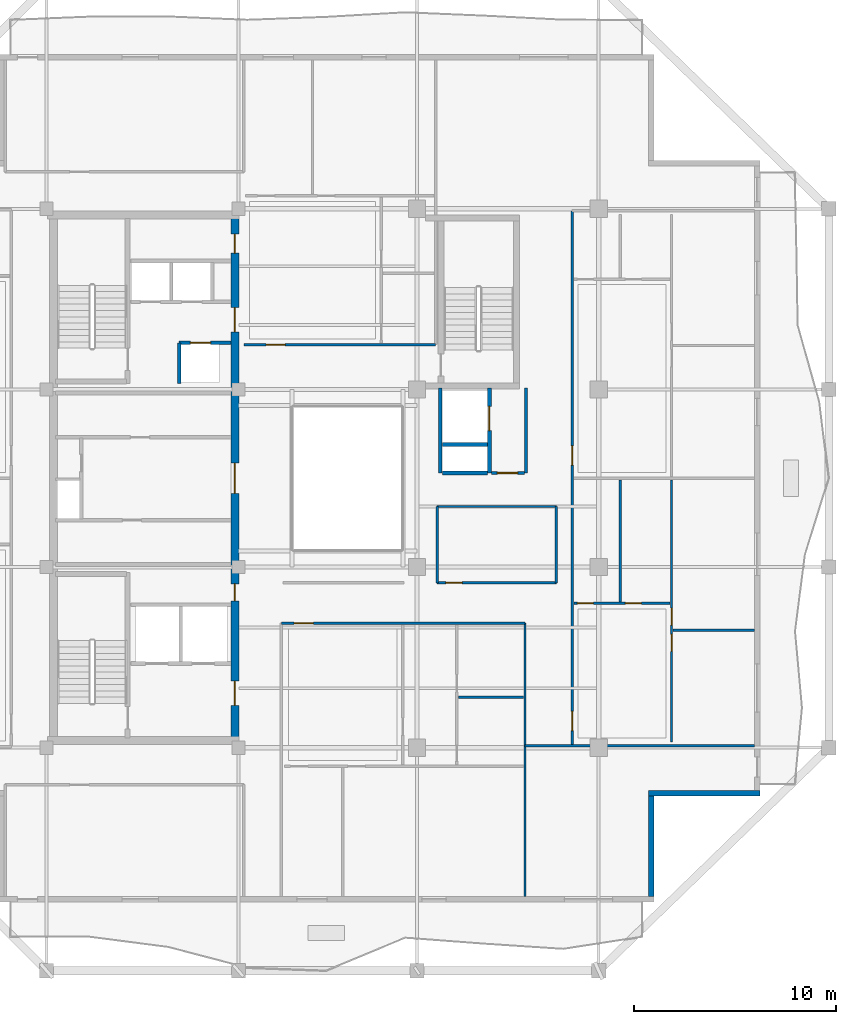
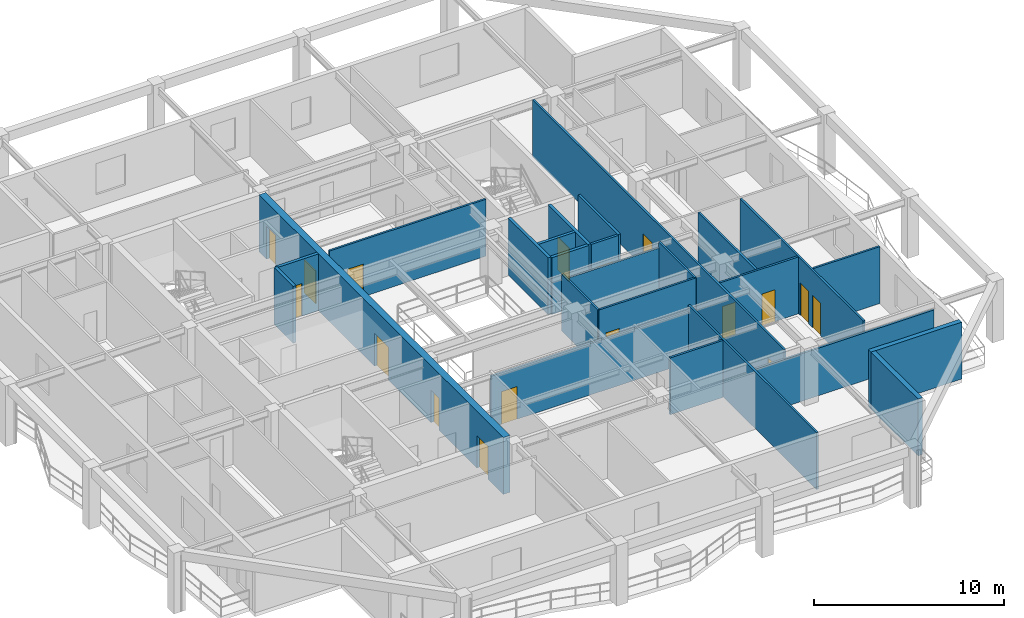
# One storey, part 4 of 11: 25 walls, 17 doors, 17 openings.
"""IFC4 building model written with IfcOpenShell, lengths in metres."""

from ifc_helpers import new_model, si_unit, direction, frame, frame_2d, origin, place, context, subcontext, project, spatial, rectangle, extrude, material, layer, layer_set, type_object, element, fill, save


model = new_model("IFC4")

# Units and contexts
model_context = context("Model", 3, precision=1e-05, world=origin(), true_north=direction((0.0, 1.0)))
body_context = subcontext(model_context, "Body", "Model", "MODEL_VIEW")
ifc_project = project(units=[si_unit("LENGTHUNIT", "METRE"), si_unit("AREAUNIT", "SQUARE_METRE"), si_unit("VOLUMEUNIT", "CUBIC_METRE"), si_unit("PLANEANGLEUNIT", "RADIAN"), si_unit("MASSUNIT", "GRAM", prefix="KILO")], contexts=[model_context])

# Site, building, storey
site_placement = place(None, origin())
site = spatial("IfcSite", under=ifc_project, at=site_placement, CompositionType="ELEMENT")
building_placement = place(site_placement, origin())
building = spatial("IfcBuilding", under=site, at=building_placement, Name="Kundavana Baori Tower", CompositionType="ELEMENT")
storey_placement = place(building_placement, frame((0.0, 0.0, 221.89990234375)))
storey = spatial("IfcBuildingStorey", under=building, at=storey_placement, Name="L54", CompositionType="ELEMENT", Elevation=221.89990234375)

# Wall, openings, doors
ifc_material_1 = material(Name="Concrete C50/60", Category="concrete")
ifc_layer_1 = layer(ifc_material_1, 0.39990234375, Name="WL-CORE-400")
ifc_layer_set_1 = layer_set([ifc_layer_1], Name="Concrete C50/60")
wall_type_1 = type_object("IfcWallType", Name="WL-CORE-400", PredefinedType="SHEAR", material=ifc_layer_set_1)
wall_1_placement = place(storey_placement, frame((24.780029296875, 15.739990234375, 0.0), z_axis=(0.0, 0.0, 1.0), x_axis=(0.0, 1.0, 0.0)))
wall_1 = element("IfcWall", 1, at=wall_1_placement, inside=storey, type_object=wall_type_1, Name="L54 Offset Core East Shear Wall", PredefinedType="SHEAR", context=body_context, shape_type="SweptSolid", body=[
    extrude(rectangle(XDim=25.760009765625, YDim=0.39990234375, at=frame_2d((12.8798828125, 0.0))), origin(), (0.0, 0.0, 1.0), 3.66015625),
])
opening_1_placement = place(wall_1_placement, frame((1.610107421875, 0.0, 0.0)))
opening_1 = element("IfcOpeningElement", 2, at=opening_1_placement, cuts=wall_1, Name="Opening FD-120", PredefinedType="OPENING", context=body_context, shape_type="SweptSolid", body=[
    extrude(rectangle(XDim=1.199951171875, YDim=2.10009765625, at=frame_2d((0.60009765625, 1.050048828125))), frame((0.0, 0.2099609375, 0.0), z_axis=(0.0, -1.0, 0.0), x_axis=(1.0, 0.0, 0.0)), (0.0, 0.0, 1.0), 0.419921875),
])
opening_2_placement = place(wall_1_placement, frame((6.780029296875, 0.0, 0.0)))
opening_2 = element("IfcOpeningElement", 3, at=opening_2_placement, cuts=wall_1, Name="Opening FD-085", PredefinedType="OPENING", context=body_context, shape_type="SweptSolid", body=[
    extrude(rectangle(XDim=0.85009765625, YDim=2.06005859375, at=frame_2d((0.425048828125, 1.030029296875))), frame((0.0, 0.2099609375, 0.0), z_axis=(0.0, -1.0, 0.0), x_axis=(1.0, 0.0, 0.0)), (0.0, 0.0, 1.0), 0.419921875),
])
opening_3_placement = place(wall_1_placement, frame((12.110107421875, 0.0, 0.0)))
opening_3 = element("IfcOpeningElement", 4, at=opening_3_placement, cuts=wall_1, Name="Opening FD-150", PredefinedType="OPENING", context=body_context, shape_type="SweptSolid", body=[
    extrude(rectangle(XDim=1.5, YDim=2.1201171875, at=frame_2d((0.75, 1.06005859375))), frame((0.0, 0.2099609375, 0.0), z_axis=(0.0, -1.0, 0.0), x_axis=(1.0, 0.0, 0.0)), (0.0, 0.0, 1.0), 0.419921875),
])
opening_4_placement = place(wall_1_placement, frame((20.110107421875, 0.0, 0.0)))
opening_4 = element("IfcOpeningElement", 5, at=opening_4_placement, cuts=wall_1, Name="Opening FD-122", PredefinedType="OPENING", context=body_context, shape_type="SweptSolid", body=[
    extrude(rectangle(XDim=1.199951171875, YDim=2.1201171875, at=frame_2d((0.60009765625, 1.06005859375))), frame((0.0, 0.2099609375, 0.0), z_axis=(0.0, -1.0, 0.0), x_axis=(1.0, 0.0, 0.0)), (0.0, 0.0, 1.0), 0.419921875),
])
opening_5_placement = place(wall_1_placement, frame((24.010009765625, 0.0, 0.0)))
opening_5 = element("IfcOpeningElement", 6, at=opening_5_placement, cuts=wall_1, Name="Opening FD-095", PredefinedType="OPENING", context=body_context, shape_type="SweptSolid", body=[
    extrude(rectangle(XDim=0.949951171875, YDim=2.10009765625, at=frame_2d((0.47509765625, 1.050048828125))), frame((0.0, 0.2099609375, 0.0), z_axis=(0.0, -1.0, 0.0), x_axis=(1.0, 0.0, 0.0)), (0.0, 0.0, 1.0), 0.419921875),
])
ifc_material_2 = material(Name="Galvanised Steel Fire-Rated Door Leaf", Category="steel")
door_type_1 = type_object("IfcDoorType", Name="DR-FD120-1200", OperationType="NOTDEFINED", PredefinedType="DOOR", material=ifc_material_2)
door_1_placement = place(opening_1_placement, frame((1.199951171875, 0.0, 0.0), z_axis=(0.0, 0.0, 1.0), x_axis=(-1.0, 0.0, 0.0)))
door_1 = element("IfcDoor", 7, at=door_1_placement, inside=storey, type_object=door_type_1, Name="DR-L54-FFLOB-E", OperationType="SINGLE_SWING_RIGHT", OverallHeight=2.10009765625, OverallWidth=1.199951171875, PredefinedType="DOOR", context=body_context, shape_type="SweptSolid", body=[
    extrude(rectangle(XDim=1.199951171875, YDim=2.10009765625, at=frame_2d((0.60009765625, 1.050048828125))), frame((0.0, 0.02490234375, 0.0), z_axis=(0.0, -1.0, 0.0), x_axis=(1.0, 0.0, 0.0)), (0.0, 0.0, 1.0), 0.050048828125),
])
fill(opening_1, door_1)
ifc_material_3 = material(Name="Galvanised Steel Fire-Rated Door Leaf", Category="steel")
door_type_2 = type_object("IfcDoorType", Name="DR-FD60-1200", OperationType="NOTDEFINED", PredefinedType="DOOR", material=ifc_material_3)
door_2_placement = place(opening_4_placement, frame((1.199951171875, 0.0, 0.0), z_axis=(0.0, 0.0, 1.0), x_axis=(-1.0, 0.0, 0.0)))
door_2 = element("IfcDoor", 8, at=door_2_placement, inside=storey, type_object=door_type_2, Name="DR-L54-HRLOB-E", OperationType="SINGLE_SWING_RIGHT", OverallHeight=2.1201171875, OverallWidth=1.199951171875, PredefinedType="DOOR", context=body_context, shape_type="SweptSolid", body=[
    extrude(rectangle(XDim=1.199951171875, YDim=2.1201171875, at=frame_2d((0.60009765625, 1.06005859375))), frame((0.0, 0.02490234375, 0.0), z_axis=(0.0, -1.0, 0.0), x_axis=(1.0, 0.0, 0.0)), (0.0, 0.0, 1.0), 0.050048828125),
])
fill(opening_4, door_2)
ifc_material_4 = material(Name="Galvanised Steel Fire-Rated Door Leaf", Category="steel")
door_type_3 = type_object("IfcDoorType", Name="DR-FD60-1500", OperationType="NOTDEFINED", PredefinedType="DOOR", material=ifc_material_4)
door_3_placement = place(opening_3_placement, frame((1.5, 0.0, 0.0), z_axis=(0.0, 0.0, 1.0), x_axis=(-1.0, 0.0, 0.0)))
door_3 = element("IfcDoor", 9, at=door_3_placement, inside=storey, type_object=door_type_3, Name="DR-L54-LIFTHALL-E", OperationType="SINGLE_SWING_LEFT", OverallHeight=2.1201171875, OverallWidth=1.5, PredefinedType="DOOR", context=body_context, shape_type="SweptSolid", body=[
    extrude(rectangle(XDim=1.5, YDim=2.1201171875, at=frame_2d((0.75, 1.06005859375))), frame((0.0, 0.02490234375, 0.0), z_axis=(0.0, -1.0, 0.0), x_axis=(1.0, 0.0, 0.0)), (0.0, 0.0, 1.0), 0.050048828125),
])
fill(opening_3, door_3)
ifc_material_5 = material(Name="Galvanised Steel Fire-Rated Door Leaf", Category="steel")
door_type_4 = type_object("IfcDoorType", Name="DR-FD60-850", OperationType="NOTDEFINED", PredefinedType="DOOR", material=ifc_material_5)
door_4_placement = place(opening_2_placement, frame((0.85009765625, 0.0, 0.0), z_axis=(0.0, 0.0, 1.0), x_axis=(-1.0, 0.0, 0.0)))
door_4 = element("IfcDoor", 10, at=door_4_placement, inside=storey, type_object=door_type_4, Name="DR-L54-CSMK1", OperationType="SINGLE_SWING_LEFT", OverallHeight=2.06005859375, OverallWidth=0.85009765625, PredefinedType="DOOR", context=body_context, shape_type="SweptSolid", body=[
    extrude(rectangle(XDim=0.85009765625, YDim=2.06005859375, at=frame_2d((0.425048828125, 1.030029296875))), frame((0.0, 0.02490234375, 0.0), z_axis=(0.0, -1.0, 0.0), x_axis=(1.0, 0.0, 0.0)), (0.0, 0.0, 1.0), 0.050048828125),
])
fill(opening_2, door_4)
ifc_material_6 = material(Name="Engineered Teak Fire-Rated Timber Door Leaf", Category="wood")
door_type_5 = type_object("IfcDoorType", Name="DR-FD60-950", OperationType="NOTDEFINED", PredefinedType="DOOR", material=ifc_material_6)
door_5_placement = place(opening_5_placement, frame((0.949951171875, 0.0, 0.0), z_axis=(0.0, 0.0, 1.0), x_axis=(-1.0, 0.0, 0.0)))
door_5 = element("IfcDoor", 11, at=door_5_placement, inside=storey, type_object=door_type_5, Name="DR-L54-CSRV1", OperationType="SINGLE_SWING_LEFT", OverallHeight=2.10009765625, OverallWidth=0.949951171875, PredefinedType="DOOR", context=body_context, shape_type="SweptSolid", body=[
    extrude(rectangle(XDim=0.949951171875, YDim=2.10009765625, at=frame_2d((0.47509765625, 1.050048828125))), frame((0.0, 0.02490234375, 0.0), z_axis=(0.0, -1.0, 0.0), x_axis=(1.0, 0.0, 0.0)), (0.0, 0.0, 1.0), 0.050048828125),
])
fill(opening_5, door_5)

# Walls
ifc_material_7 = material(Name="Red-Buff Dholpur Sandstone Cladding on Concrete C40/50", Category="masonry")
ifc_layer_2 = layer(ifc_material_7, 0.280029296875, Name="WL-EXT-SAND-280")
ifc_layer_set_2 = layer_set([ifc_layer_2], Name="Red-Buff Dholpur Sandstone Cladding on Concrete C40/50")
wall_type_2 = type_object("IfcWallType", Name="WL-EXT-SAND-280", PredefinedType="STANDARD", material=ifc_layer_set_2)
wall_2_placement = place(storey_placement, frame((45.409912109375, 7.8798828125, 0.0), z_axis=(0.0, 0.0, 1.0), x_axis=(0.0, 1.0, 0.0)))
element("IfcWall", 12, at=wall_2_placement, inside=storey, type_object=wall_type_2, Name="L54 Exterior Insulated Facade Wall 02", PredefinedType="STANDARD", context=body_context, shape_type="SweptSolid", body=[
    extrude(rectangle(XDim=4.97021484375, YDim=0.280029296875, at=frame_2d((2.485107421875, 0.0))), origin(), (0.0, 0.0, 1.0), 3.66015625),
])
wall_3_placement = place(storey_placement, frame((45.27001953125, 12.989990234375, 0.0), z_axis=(0.0, 0.0, 1.0), x_axis=(1.0, 0.0, 0.0)))
element("IfcWall", 13, at=wall_3_placement, inside=storey, type_object=wall_type_2, Name="L54 Exterior Insulated Facade Wall 03", PredefinedType="STANDARD", context=body_context, shape_type="SweptSolid", body=[
    extrude(rectangle(XDim=5.530029296875, YDim=0.280029296875, at=frame_2d((2.76513671875, 0.0))), origin(), (0.0, 0.0, 1.0), 3.66015625),
])

# Wall, opening, door
ifc_material_8 = material(Name="Acoustic Gypsum Plasterboard on Galvanised Steel Studs", Category="steel")
ifc_layer_3 = layer(ifc_material_8, 0.1201171875, Name="WL-PART-120")
ifc_layer_set_3 = layer_set([ifc_layer_3], Name="Acoustic Gypsum Plasterboard on Galvanised Steel Studs")
wall_type_3 = type_object("IfcWallType", Name="WL-PART-120", PredefinedType="PARTITIONING", material=ifc_layer_set_3)
wall_4_placement = place(storey_placement, frame((27.080078125, 21.419921875, 0.0), z_axis=(0.0, 0.0, 1.0), x_axis=(1.0, 0.0, 0.0)))
wall_4 = element("IfcWall", 14, at=wall_4_placement, inside=storey, type_object=wall_type_3, Name="WL-L54-RS", PredefinedType="PARTITIONING", context=body_context, shape_type="SweptSolid", body=[
    extrude(rectangle(XDim=12.06982421875, YDim=0.1201171875, at=frame_2d((6.034912109375, 0.0))), origin(), (0.0, 0.0, 1.0), 3.31005859375),
])
opening_6_placement = place(wall_4_placement, frame((0.6298828125, 0.0, 0.0)))
opening_6 = element("IfcOpeningElement", 15, at=opening_6_placement, cuts=wall_4, Name="Opening FD-095", PredefinedType="OPENING", context=body_context, shape_type="SweptSolid", body=[
    extrude(rectangle(XDim=0.949951171875, YDim=2.10009765625, at=frame_2d((0.47509765625, 1.050048828125))), frame((0.0, 0.070068359375, 0.0), z_axis=(0.0, -1.0, 0.0), x_axis=(1.0, 0.0, 0.0)), (0.0, 0.0, 1.0), 0.14013671875),
])
door_6_placement = place(opening_6_placement, frame((0.949951171875, 0.0, 0.0), z_axis=(0.0, 0.0, 1.0), x_axis=(-1.0, 0.0, 0.0)))
door_6 = element("IfcDoor", 16, at=door_6_placement, inside=storey, type_object=door_type_5, Name="DR-L54-S1-ENT", OperationType="SINGLE_SWING_RIGHT", OverallHeight=2.10009765625, OverallWidth=0.949951171875, PredefinedType="DOOR", context=body_context, shape_type="SweptSolid", body=[
    extrude(rectangle(XDim=0.949951171875, YDim=2.10009765625, at=frame_2d((0.47509765625, 1.050048828125))), frame((0.0, 0.02490234375, 0.0), z_axis=(0.0, -1.0, 0.0), x_axis=(1.0, 0.0, 0.0)), (0.0, 0.0, 1.0), 0.050048828125),
])
fill(opening_6, door_6)

wall_5_placement = place(storey_placement, frame((25.219970703125, 35.219970703125, 0.0), z_axis=(0.0, 0.0, 1.0), x_axis=(1.0, 0.0, 0.0)))
wall_5 = element("IfcWall", 17, at=wall_5_placement, inside=storey, type_object=wall_type_3, Name="WL-L54-RN", PredefinedType="PARTITIONING", context=body_context, shape_type="SweptSolid", body=[
    extrude(rectangle(XDim=9.5, YDim=0.1201171875, at=frame_2d((4.75, 0.0))), origin(), (0.0, 0.0, 1.0), 3.66015625),
])
opening_7_placement = place(wall_5_placement, frame((1.10009765625, 0.0, 0.0)))
opening_7 = element("IfcOpeningElement", 18, at=opening_7_placement, cuts=wall_5, Name="Opening FD-095", PredefinedType="OPENING", context=body_context, shape_type="SweptSolid", body=[
    extrude(rectangle(XDim=0.949951171875, YDim=2.10009765625, at=frame_2d((0.47509765625, 1.050048828125))), frame((0.0, 0.070068359375, 0.0), z_axis=(0.0, -1.0, 0.0), x_axis=(1.0, 0.0, 0.0)), (0.0, 0.0, 1.0), 0.14013671875),
])
door_7_placement = place(opening_7_placement, origin())
door_7 = element("IfcDoor", 19, at=door_7_placement, inside=storey, type_object=door_type_5, Name="DR-L54-N1-ENT", OperationType="SINGLE_SWING_LEFT", OverallHeight=2.10009765625, OverallWidth=0.949951171875, PredefinedType="DOOR", context=body_context, shape_type="SweptSolid", body=[
    extrude(rectangle(XDim=0.949951171875, YDim=2.10009765625, at=frame_2d((0.47509765625, 1.050048828125))), frame((0.0, 0.02490234375, 0.0), z_axis=(0.0, -1.0, 0.0), x_axis=(1.0, 0.0, 0.0)), (0.0, 0.0, 1.0), 0.050048828125),
])
fill(opening_7, door_7)

# Wall
wall_6_placement = place(storey_placement, frame((39.14990234375, 7.8798828125, 0.0), z_axis=(0.0, 0.0, 1.0), x_axis=(0.0, 1.0, 0.0)))
element("IfcWall", 20, at=wall_6_placement, inside=storey, type_object=wall_type_3, Name="WL-L54-RSEND", PredefinedType="PARTITIONING", context=body_context, shape_type="SweptSolid", body=[
    extrude(rectangle(XDim=13.5400390625, YDim=0.1201171875, at=frame_2d((6.77001953125, 0.0))), origin(), (0.0, 0.0, 1.0), 3.66015625),
])

# Wall, openings, doors
wall_7_placement = place(storey_placement, frame((41.47998046875, 15.35009765625, 0.0), z_axis=(0.0, 0.0, 1.0), x_axis=(0.0, 1.0, 0.0)))
wall_7 = element("IfcWall", 21, at=wall_7_placement, inside=storey, type_object=wall_type_3, Name="WL-L54-RE", PredefinedType="PARTITIONING", context=body_context, shape_type="SweptSolid", body=[
    extrude(rectangle(XDim=26.5, YDim=0.1201171875, at=frame_2d((13.25, 0.0))), origin(), (0.0, 0.0, 1.0), 3.66015625),
])
opening_8_placement = place(wall_7_placement, frame((0.75, 0.0, 0.0)))
opening_8 = element("IfcOpeningElement", 22, at=opening_8_placement, cuts=wall_7, Name="Opening FD-095", PredefinedType="OPENING", context=body_context, shape_type="SweptSolid", body=[
    extrude(rectangle(XDim=0.949951171875, YDim=2.10009765625, at=frame_2d((0.47509765625, 1.050048828125))), frame((0.0, 0.070068359375, 0.0), z_axis=(0.0, -1.0, 0.0), x_axis=(1.0, 0.0, 0.0)), (0.0, 0.0, 1.0), 0.14013671875),
])
opening_9_placement = place(wall_7_placement, frame((13.89990234375, 0.0, 0.0)))
opening_9 = element("IfcOpeningElement", 23, at=opening_9_placement, cuts=wall_7, Name="Opening FD-095", PredefinedType="OPENING", context=body_context, shape_type="SweptSolid", body=[
    extrude(rectangle(XDim=0.949951171875, YDim=2.10009765625, at=frame_2d((0.47509765625, 1.050048828125))), frame((0.0, 0.070068359375, 0.0), z_axis=(0.0, -1.0, 0.0), x_axis=(1.0, 0.0, 0.0)), (0.0, 0.0, 1.0), 0.14013671875),
])
door_8_placement = place(opening_8_placement, origin())
door_8 = element("IfcDoor", 24, at=door_8_placement, inside=storey, type_object=door_type_5, Name="DR-L54-E1-ENT", OperationType="SINGLE_SWING_LEFT", OverallHeight=2.10009765625, OverallWidth=0.949951171875, PredefinedType="DOOR", context=body_context, shape_type="SweptSolid", body=[
    extrude(rectangle(XDim=0.949951171875, YDim=2.10009765625, at=frame_2d((0.47509765625, 1.050048828125))), frame((0.0, 0.02490234375, 0.0), z_axis=(0.0, -1.0, 0.0), x_axis=(1.0, 0.0, 0.0)), (0.0, 0.0, 1.0), 0.050048828125),
])
fill(opening_8, door_8)
door_9_placement = place(opening_9_placement, origin())
door_9 = element("IfcDoor", 25, at=door_9_placement, inside=storey, type_object=door_type_5, Name="DR-L54-E2-ENT", OperationType="SINGLE_SWING_LEFT", OverallHeight=2.10009765625, OverallWidth=0.949951171875, PredefinedType="DOOR", context=body_context, shape_type="SweptSolid", body=[
    extrude(rectangle(XDim=0.949951171875, YDim=2.10009765625, at=frame_2d((0.47509765625, 1.050048828125))), frame((0.0, 0.02490234375, 0.0), z_axis=(0.0, -1.0, 0.0), x_axis=(1.0, 0.0, 0.0)), (0.0, 0.0, 1.0), 0.050048828125),
])
fill(opening_9, door_9)

# Wall
wall_8_placement = place(storey_placement, frame((39.14990234375, 15.35009765625, 0.0), z_axis=(0.0, 0.0, 1.0), x_axis=(1.0, 0.0, 0.0)))
element("IfcWall", 26, at=wall_8_placement, inside=storey, type_object=wall_type_3, Name="WL-L54-RES", PredefinedType="PARTITIONING", context=body_context, shape_type="SweptSolid", body=[
    extrude(rectangle(XDim=11.3701171875, YDim=0.1201171875, at=frame_2d((5.68505859375, 0.0))), origin(), (0.0, 0.0, 1.0), 3.06005859375),
])

# Wall, openings, doors
wall_9_placement = place(storey_placement, frame((46.407958984375, 15.530029296875, 0.0), z_axis=(0.0, 0.0, 1.0), x_axis=(0.0, 1.0, 0.0)))
wall_9 = element("IfcWall", 27, at=wall_9_placement, inside=storey, type_object=wall_type_3, Name="WL-L54-E1-VT", PredefinedType="PARTITIONING", context=body_context, shape_type="SweptSolid", body=[
    extrude(rectangle(XDim=12.989990234375, YDim=0.1201171875, at=frame_2d((6.4951171875, 0.0))), origin(), (0.0, 0.0, 1.0), 3.66015625),
])
opening_10_placement = place(wall_9_placement, frame((4.489990234375, 0.0, 0.0)))
opening_10 = element("IfcOpeningElement", 28, at=opening_10_placement, cuts=wall_9, Name="Opening ID-085", PredefinedType="OPENING", context=body_context, shape_type="SweptSolid", body=[
    extrude(rectangle(XDim=0.85009765625, YDim=2.080078125, at=frame_2d((0.425048828125, 1.0400390625))), frame((0.0, 0.070068359375, 0.0), z_axis=(0.0, -1.0, 0.0), x_axis=(1.0, 0.0, 0.0)), (0.0, 0.0, 1.0), 0.14013671875),
])
opening_11_placement = place(wall_9_placement, frame((5.7900390625, 0.0, 0.0)))
opening_11 = element("IfcOpeningElement", 29, at=opening_11_placement, cuts=wall_9, Name="Opening ID-085", PredefinedType="OPENING", context=body_context, shape_type="SweptSolid", body=[
    extrude(rectangle(XDim=0.85009765625, YDim=2.080078125, at=frame_2d((0.425048828125, 1.0400390625))), frame((0.0, 0.070068359375, 0.0), z_axis=(0.0, -1.0, 0.0), x_axis=(1.0, 0.0, 0.0)), (0.0, 0.0, 1.0), 0.14013671875),
])
ifc_material_9 = material(Name="Engineered Teak Solid-Core Timber Veneer", Category="wood")
door_type_6 = type_object("IfcDoorType", Name="DR-INT-850", OperationType="NOTDEFINED", PredefinedType="DOOR", material=ifc_material_9)
door_10_placement = place(opening_10_placement, origin())
door_10 = element("IfcDoor", 30, at=door_10_placement, inside=storey, type_object=door_type_6, Name="DR-L54-E1-B1", OperationType="SINGLE_SWING_LEFT", OverallHeight=2.080078125, OverallWidth=0.85009765625, PredefinedType="DOOR", context=body_context, shape_type="SweptSolid", body=[
    extrude(rectangle(XDim=0.85009765625, YDim=2.080078125, at=frame_2d((0.425048828125, 1.0400390625))), frame((0.0, 0.02490234375, 0.0), z_axis=(0.0, -1.0, 0.0), x_axis=(1.0, 0.0, 0.0)), (0.0, 0.0, 1.0), 0.050048828125),
])
fill(opening_10, door_10)
door_11_placement = place(opening_11_placement, origin())
door_11 = element("IfcDoor", 31, at=door_11_placement, inside=storey, type_object=door_type_6, Name="DR-L54-E1-B2", OperationType="SINGLE_SWING_RIGHT", OverallHeight=2.080078125, OverallWidth=0.85009765625, PredefinedType="DOOR", context=body_context, shape_type="SweptSolid", body=[
    extrude(rectangle(XDim=0.85009765625, YDim=2.080078125, at=frame_2d((0.425048828125, 1.0400390625))), frame((0.0, 0.02490234375, 0.0), z_axis=(0.0, -1.0, 0.0), x_axis=(1.0, 0.0, 0.0)), (0.0, 0.0, 1.0), 0.050048828125),
])
fill(opening_11, door_11)

# Wall
wall_10_placement = place(storey_placement, frame((46.488037109375, 21.070068359375, 0.0), z_axis=(0.0, 0.0, 1.0), x_axis=(1.0, 0.0, 0.0)))
element("IfcWall", 32, at=wall_10_placement, inside=storey, type_object=wall_type_3, Name="WL-L54-E1-BDH", PredefinedType="PARTITIONING", context=body_context, shape_type="SweptSolid", body=[
    extrude(rectangle(XDim=4.031982421875, YDim=0.1201171875, at=frame_2d((2.01611328125, 0.0))), origin(), (0.0, 0.0, 1.0), 3.66015625),
])

# Wall, opening, door
wall_11_placement = place(storey_placement, frame((34.800048828125, 23.419921875, 0.0), z_axis=(0.0, 0.0, 1.0), x_axis=(1.0, 0.0, 0.0)))
wall_11 = element("IfcWall", 33, at=wall_11_placement, inside=storey, type_object=wall_type_3, Name="WL-L54-ALS", PredefinedType="PARTITIONING", context=body_context, shape_type="SweptSolid", body=[
    extrude(rectangle(XDim=5.89990234375, YDim=0.1201171875, at=frame_2d((2.949951171875, 0.0))), origin(), (0.0, 0.0, 1.0), 3.66015625),
])
opening_12_placement = place(wall_11_placement, frame((0.429931640625, 0.0, 0.0)))
opening_12 = element("IfcOpeningElement", 34, at=opening_12_placement, cuts=wall_11, Name="Opening WD-080", PredefinedType="OPENING", context=body_context, shape_type="SweptSolid", body=[
    extrude(rectangle(XDim=0.800048828125, YDim=2.050048828125, at=frame_2d((0.39990234375, 1.02490234375))), frame((0.0, 0.070068359375, 0.0), z_axis=(0.0, -1.0, 0.0), x_axis=(1.0, 0.0, 0.0)), (0.0, 0.0, 1.0), 0.14013671875),
])
ifc_material_10 = material(Name="Engineered Teak Solid-Core Timber Veneer", Category="wood")
door_type_7 = type_object("IfcDoorType", Name="DR-WET-800", OperationType="NOTDEFINED", PredefinedType="DOOR", material=ifc_material_10)
door_12_placement = place(opening_12_placement, origin())
door_12 = element("IfcDoor", 35, at=door_12_placement, inside=storey, type_object=door_type_7, Name="DR-L54-RALC1", OperationType="SINGLE_SWING_LEFT", OverallHeight=2.050048828125, OverallWidth=0.800048828125, PredefinedType="DOOR", context=body_context, shape_type="SweptSolid", body=[
    extrude(rectangle(XDim=0.800048828125, YDim=2.050048828125, at=frame_2d((0.39990234375, 1.02490234375))), frame((0.0, 0.02490234375, 0.0), z_axis=(0.0, -1.0, 0.0), x_axis=(1.0, 0.0, 0.0)), (0.0, 0.0, 1.0), 0.050048828125),
])
fill(opening_12, door_12)

# Walls
wall_12_placement = place(storey_placement, frame((34.800048828125, 27.199951171875, 0.0), z_axis=(0.0, 0.0, 1.0), x_axis=(1.0, 0.0, 0.0)))
element("IfcWall", 36, at=wall_12_placement, inside=storey, type_object=wall_type_3, Name="WL-L54-ALN", PredefinedType="PARTITIONING", context=body_context, shape_type="SweptSolid", body=[
    extrude(rectangle(XDim=5.89990234375, YDim=0.1201171875, at=frame_2d((2.949951171875, 0.0))), origin(), (0.0, 0.0, 1.0), 3.31005859375),
])
for number, where, z_axis, x_axis, name in (
    (37, (34.800048828125, 23.419921875, 0.0), (0.0, 0.0, 1.0), (0.0, 1.0, 0.0), "WL-L54-ALW"),
    (38, (40.699951171875, 23.419921875, 0.0), (0.0, 0.0, 1.0), (0.0, 1.0, 0.0), "WL-L54-ALE"),
):
    element("IfcWall", number, at=place(storey_placement, frame(where, z_axis=z_axis, x_axis=x_axis)), inside=storey, type_object=wall_type_3, Name=name, PredefinedType="PARTITIONING", context=body_context, shape_type="SweptSolid", body=[
        extrude(rectangle(XDim=3.780029296875, YDim=0.1201171875, at=frame_2d((1.89013671875, 0.0))), origin(), (0.0, 0.0, 1.0), 3.66015625),
    ])
ifc_material_11 = material(Name="Fire-Rated Gypsum Drywall on Galvanised Steel Studs", Category="steel")
ifc_layer_4 = layer(ifc_material_11, 0.14990234375, Name="WL-PART-150")
ifc_layer_set_4 = layer_set([ifc_layer_4], Name="Fire-Rated Gypsum Drywall on Galvanised Steel Studs")
wall_type_4 = type_object("IfcWallType", Name="WL-PART-150", PredefinedType="PARTITIONING", material=ifc_layer_set_4)
wall_13_placement = place(storey_placement, frame((39.199951171875, 28.860107421875, 0.0), z_axis=(0.0, 0.0, 1.0), x_axis=(0.0, 1.0, 0.0)))
element("IfcWall", 39, at=wall_13_placement, inside=storey, type_object=wall_type_4, Name="WL-L54-SVLOB-E", PredefinedType="PARTITIONING", context=body_context, shape_type="SweptSolid", body=[
    extrude(rectangle(XDim=4.219970703125, YDim=0.14990234375, at=frame_2d((2.10986328125, 0.0))), origin(), (0.0, 0.0, 1.0), 3.66015625),
])

# Wall, opening, door
wall_14_placement = place(storey_placement, frame((37.47998046875, 28.860107421875, 0.0), z_axis=(0.0, 0.0, 1.0), x_axis=(1.0, 0.0, 0.0)))
wall_14 = element("IfcWall", 40, at=wall_14_placement, inside=storey, type_object=wall_type_4, Name="WL-L54-SVLOB-S", PredefinedType="PARTITIONING", context=body_context, shape_type="SweptSolid", body=[
    extrude(rectangle(XDim=1.64013671875, YDim=0.14990234375, at=frame_2d((0.820068359375, 0.0))), origin(), (0.0, 0.0, 1.0), 3.66015625),
])
opening_13_placement = place(wall_14_placement, frame((0.300048828125, 0.0, 0.0)))
opening_13 = element("IfcOpeningElement", 41, at=opening_13_placement, cuts=wall_14, Name="Opening FD-100", PredefinedType="OPENING", context=body_context, shape_type="SweptSolid", body=[
    extrude(rectangle(XDim=1.0, YDim=2.10009765625, at=frame_2d((0.5, 1.050048828125))), frame((0.0, 0.0849609375, 0.0), z_axis=(0.0, -1.0, 0.0), x_axis=(1.0, 0.0, 0.0)), (0.0, 0.0, 1.0), 0.169921875),
])
ifc_material_12 = material(Name="Engineered Teak Fire-Rated Timber Door Leaf", Category="wood")
door_type_8 = type_object("IfcDoorType", Name="DR-FD60-1000", OperationType="NOTDEFINED", PredefinedType="DOOR", material=ifc_material_12)
door_13_placement = place(opening_13_placement, origin())
door_13 = element("IfcDoor", 42, at=door_13_placement, inside=storey, type_object=door_type_8, Name="DR-L54-SVLOB-OUT", OperationType="SINGLE_SWING_LEFT", OverallHeight=2.10009765625, OverallWidth=1.0, PredefinedType="DOOR", context=body_context, shape_type="SweptSolid", body=[
    extrude(rectangle(XDim=1.0, YDim=2.10009765625, at=frame_2d((0.5, 1.050048828125))), frame((0.0, 0.02490234375, 0.0), z_axis=(0.0, -1.0, 0.0), x_axis=(1.0, 0.0, 0.0)), (0.0, 0.0, 1.0), 0.050048828125),
])
fill(opening_13, door_13)

ifc_material_13 = material(Name="Autoclaved Aerated Concrete Blockwork Masonry", Category="masonry")
ifc_layer_5 = layer(ifc_material_13, 0.179931640625, Name="WL-SHAFT-180")
ifc_layer_set_5 = layer_set([ifc_layer_5], Name="Autoclaved Aerated Concrete Blockwork Masonry")
wall_type_5 = type_object("IfcWallType", Name="WL-SHAFT-180", PredefinedType="SOLIDWALL", material=ifc_layer_set_5)
wall_15_placement = place(storey_placement, frame((22.02001953125, 35.31005859375, 0.0), z_axis=(0.0, 0.0, 1.0), x_axis=(1.0, 0.0, 0.0)))
wall_15 = element("IfcWall", 43, at=wall_15_placement, inside=storey, type_object=wall_type_5, Name="WL-L54-LP11-N", PredefinedType="SOLIDWALL", context=body_context, shape_type="SweptSolid", body=[
    extrude(rectangle(XDim=2.56005859375, YDim=0.179931640625, at=frame_2d((1.280029296875, 0.0))), origin(), (0.0, 0.0, 1.0), 3.66015625),
])
opening_14_placement = place(wall_15_placement, frame((0.550048828125, 0.0, 0.0)))
opening_14 = element("IfcOpeningElement", 44, at=opening_14_placement, cuts=wall_15, Name="Opening LD-100", PredefinedType="OPENING", context=body_context, shape_type="SweptSolid", body=[
    extrude(rectangle(XDim=1.0, YDim=2.10009765625, at=frame_2d((0.5, 1.050048828125))), frame((0.0, 0.10009765625, 0.0), z_axis=(0.0, -1.0, 0.0), x_axis=(1.0, 0.0, 0.0)), (0.0, 0.0, 1.0), 0.199951171875),
])
ifc_material_14 = material(Name="Galvanised Steel Fire-Rated Door Leaf", Category="steel")
door_type_9 = type_object("IfcDoorType", Name="DR-SLIDE-LD1000", OperationType="NOTDEFINED", PredefinedType="DOOR", material=ifc_material_14)
door_14_placement = place(opening_14_placement, origin())
door_14 = element("IfcDoor", 45, at=door_14_placement, inside=storey, type_object=door_type_9, Name="DR-L54-LD-LP11", OperationType="DOUBLE_DOOR_SLIDING", OverallHeight=2.10009765625, OverallWidth=1.0, PredefinedType="DOOR", context=body_context, shape_type="SweptSolid", body=[
    extrude(rectangle(XDim=1.0, YDim=2.10009765625, at=frame_2d((0.5, 1.050048828125))), frame((0.0, 0.02490234375, 0.0), z_axis=(0.0, -1.0, 0.0), x_axis=(1.0, 0.0, 0.0)), (0.0, 0.0, 1.0), 0.050048828125),
])
fill(opening_14, door_14)

# Walls
wall_16_placement = place(storey_placement, frame((22.02001953125, 33.300048828125, 0.0), z_axis=(0.0, 0.0, 1.0), x_axis=(0.0, 1.0, 0.0)))
element("IfcWall", 46, at=wall_16_placement, inside=storey, type_object=wall_type_5, Name="WL-L54-LP11-W", PredefinedType="SOLIDWALL", context=body_context, shape_type="SweptSolid", body=[
    extrude(rectangle(XDim=2.010009765625, YDim=0.179931640625, at=frame_2d((1.0048828125, 0.0))), origin(), (0.0, 0.0, 1.0), 3.66015625),
])
wall_17_placement = place(storey_placement, frame((34.9599609375, 28.860107421875, 0.0), z_axis=(0.0, 0.0, 1.0), x_axis=(0.0, 1.0, 0.0)))
element("IfcWall", 47, at=wall_17_placement, inside=storey, type_object=wall_type_5, Name="WL-L54-SVL-W", PredefinedType="SOLIDWALL", context=body_context, shape_type="SweptSolid", body=[
    extrude(rectangle(XDim=4.219970703125, YDim=0.179931640625, at=frame_2d((2.10986328125, 0.0))), origin(), (0.0, 0.0, 1.0), 3.66015625),
])

# Wall, opening, door
wall_18_placement = place(storey_placement, frame((37.389892578125, 28.860107421875, 0.0), z_axis=(0.0, 0.0, 1.0), x_axis=(0.0, 1.0, 0.0)))
wall_18 = element("IfcWall", 48, at=wall_18_placement, inside=storey, type_object=wall_type_5, Name="WL-L54-SVL-E", PredefinedType="SOLIDWALL", context=body_context, shape_type="SweptSolid", body=[
    extrude(rectangle(XDim=4.219970703125, YDim=0.179931640625, at=frame_2d((2.10986328125, 0.0))), origin(), (0.0, 0.0, 1.0), 3.66015625),
])
opening_15_placement = place(wall_18_placement, frame((2.10009765625, 0.0, 0.0)))
opening_15 = element("IfcOpeningElement", 49, at=opening_15_placement, cuts=wall_18, Name="Opening LD-120", PredefinedType="OPENING", context=body_context, shape_type="SweptSolid", body=[
    extrude(rectangle(XDim=1.199951171875, YDim=2.1201171875, at=frame_2d((0.60009765625, 1.06005859375))), frame((0.0, 0.10009765625, 0.0), z_axis=(0.0, -1.0, 0.0), x_axis=(1.0, 0.0, 0.0)), (0.0, 0.0, 1.0), 0.199951171875),
])
ifc_material_15 = material(Name="Galvanised Steel Fire-Rated Door Leaf", Category="steel")
door_type_10 = type_object("IfcDoorType", Name="DR-SLIDE-LD1200", OperationType="NOTDEFINED", PredefinedType="DOOR", material=ifc_material_15)
door_15_placement = place(opening_15_placement, frame((1.199951171875, 0.0, 0.0), z_axis=(0.0, 0.0, 1.0), x_axis=(-1.0, 0.0, 0.0)))
door_15 = element("IfcDoor", 50, at=door_15_placement, inside=storey, type_object=door_type_10, Name="DR-L54-LD-SVL1", OperationType="DOUBLE_DOOR_SLIDING", OverallHeight=2.1201171875, OverallWidth=1.199951171875, PredefinedType="DOOR", context=body_context, shape_type="SweptSolid", body=[
    extrude(rectangle(XDim=1.199951171875, YDim=2.1201171875, at=frame_2d((0.60009765625, 1.06005859375))), frame((0.0, 0.02490234375, 0.0), z_axis=(0.0, -1.0, 0.0), x_axis=(1.0, 0.0, 0.0)), (0.0, 0.0, 1.0), 0.050048828125),
])
fill(opening_15, door_15)

# Walls
for number, where, z_axis, x_axis, name in (
    (51, (35.050048828125, 28.860107421875, 0.0), (0.0, 0.0, 1.0), (1.0, 0.0, 0.0), "WL-L54-SVL-S"),
    (52, (35.050048828125, 30.27001953125, 0.0), (0.0, 0.0, 1.0), (1.0, 0.0, 0.0), "WL-L54-SVL-M"),
):
    element("IfcWall", number, at=place(storey_placement, frame(where, z_axis=z_axis, x_axis=x_axis)), inside=storey, type_object=wall_type_5, Name=name, PredefinedType="SOLIDWALL", context=body_context, shape_type="SweptSolid", body=[
        extrude(rectangle(XDim=2.25, YDim=0.179931640625, at=frame_2d((1.125, 0.0))), origin(), (0.0, 0.0, 1.0), 3.66015625),
    ])
ifc_material_16 = material(Name="Autoclaved Aerated Concrete Blockwork Masonry", Category="masonry")
ifc_layer_6 = layer(ifc_material_16, 0.125, Name="WL-WET-120")
ifc_layer_set_6 = layer_set([ifc_layer_6], Name="Autoclaved Aerated Concrete Blockwork Masonry")
wall_type_6 = type_object("IfcWallType", Name="WL-WET-120", PredefinedType="PLUMBINGWALL", material=ifc_layer_set_6)
wall_19_placement = place(storey_placement, frame((35.85009765625, 17.741943359375, 0.0), z_axis=(0.0, 0.0, 1.0), x_axis=(1.0, 0.0, 0.0)))
element("IfcWall", 53, at=wall_19_placement, inside=storey, type_object=wall_type_6, Name="WL-L54-S1-BT", PredefinedType="PLUMBINGWALL", context=body_context, shape_type="SweptSolid", body=[
    extrude(rectangle(XDim=3.219970703125, YDim=0.125, at=frame_2d((1.60986328125, 0.0))), origin(), (0.0, 0.0, 1.0), 3.66015625),
])

# Wall, openings, doors
wall_20_placement = place(storey_placement, frame((41.580078125, 22.39990234375, 0.0), z_axis=(0.0, 0.0, 1.0), x_axis=(1.0, 0.0, 0.0)))
wall_20 = element("IfcWall", 54, at=wall_20_placement, inside=storey, type_object=wall_type_6, Name="WL-L54-E1-KH", PredefinedType="PLUMBINGWALL", context=body_context, shape_type="SweptSolid", body=[
    extrude(rectangle(XDim=4.747802734375, YDim=0.125, at=frame_2d((2.3740234375, 0.0))), origin(), (0.0, 0.0, 1.0), 3.66015625),
])
opening_16_placement = place(wall_20_placement, frame((0.159912109375, 0.0, 0.0)))
opening_16 = element("IfcOpeningElement", 55, at=opening_16_placement, cuts=wall_20, Name="Opening WD-080", PredefinedType="OPENING", context=body_context, shape_type="SweptSolid", body=[
    extrude(rectangle(XDim=0.800048828125, YDim=2.050048828125, at=frame_2d((0.39990234375, 1.02490234375))), frame((0.0, 0.072509765625, 0.0), z_axis=(0.0, -1.0, 0.0), x_axis=(1.0, 0.0, 0.0)), (0.0, 0.0, 1.0), 0.14501953125),
])
opening_17_placement = place(wall_20_placement, frame((2.5390625, 0.0, 0.0)))
opening_17 = element("IfcOpeningElement", 56, at=opening_17_placement, cuts=wall_20, Name="Opening WD-080", PredefinedType="OPENING", context=body_context, shape_type="SweptSolid", body=[
    extrude(rectangle(XDim=0.800048828125, YDim=2.050048828125, at=frame_2d((0.39990234375, 1.02490234375))), frame((0.0, 0.072509765625, 0.0), z_axis=(0.0, -1.0, 0.0), x_axis=(1.0, 0.0, 0.0)), (0.0, 0.0, 1.0), 0.14501953125),
])
door_16_placement = place(opening_16_placement, origin())
door_16 = element("IfcDoor", 57, at=door_16_placement, inside=storey, type_object=door_type_7, Name="DR-L54-E1-BT", OperationType="SINGLE_SWING_LEFT", OverallHeight=2.050048828125, OverallWidth=0.800048828125, PredefinedType="DOOR", context=body_context, shape_type="SweptSolid", body=[
    extrude(rectangle(XDim=0.800048828125, YDim=2.050048828125, at=frame_2d((0.39990234375, 1.02490234375))), frame((0.0, 0.02490234375, 0.0), z_axis=(0.0, -1.0, 0.0), x_axis=(1.0, 0.0, 0.0)), (0.0, 0.0, 1.0), 0.050048828125),
])
fill(opening_16, door_16)
door_17_placement = place(opening_17_placement, origin())
door_17 = element("IfcDoor", 58, at=door_17_placement, inside=storey, type_object=door_type_7, Name="DR-L54-E1-KT", OperationType="SINGLE_SWING_RIGHT", OverallHeight=2.050048828125, OverallWidth=0.800048828125, PredefinedType="DOOR", context=body_context, shape_type="SweptSolid", body=[
    extrude(rectangle(XDim=0.800048828125, YDim=2.050048828125, at=frame_2d((0.39990234375, 1.02490234375))), frame((0.0, 0.02490234375, 0.0), z_axis=(0.0, -1.0, 0.0), x_axis=(1.0, 0.0, 0.0)), (0.0, 0.0, 1.0), 0.050048828125),
])
fill(opening_17, door_17)

# Wall
wall_21_placement = place(storey_placement, frame((43.85888671875, 22.47998046875, 0.0), z_axis=(0.0, 0.0, 1.0), x_axis=(0.0, 1.0, 0.0)))
element("IfcWall", 59, at=wall_21_placement, inside=storey, type_object=wall_type_6, Name="WL-L54-E1-BV", PredefinedType="PLUMBINGWALL", context=body_context, shape_type="SweptSolid", body=[
    extrude(rectangle(XDim=6.0400390625, YDim=0.125, at=frame_2d((3.02001953125, 0.0))), origin(), (0.0, 0.0, 1.0), 3.66015625),
])

save(model, "model.ifc")
